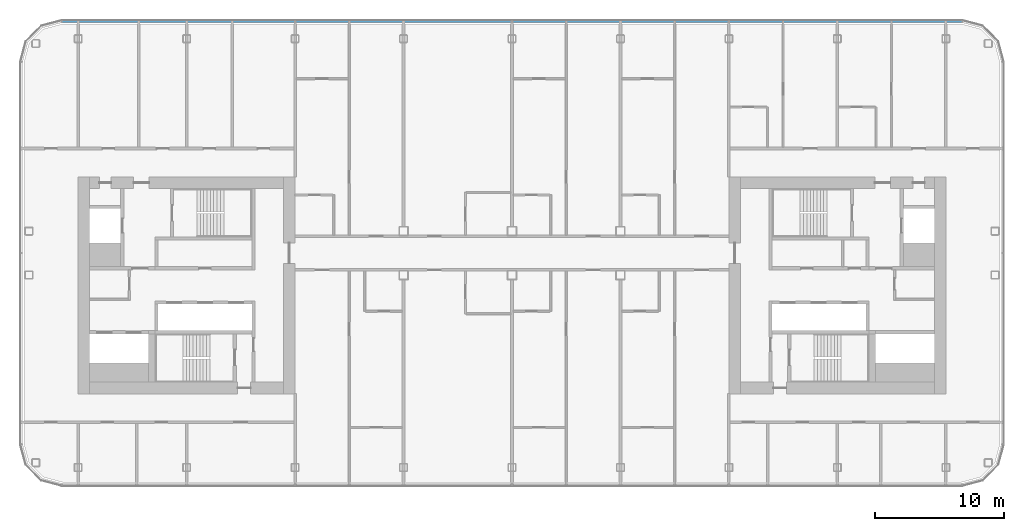
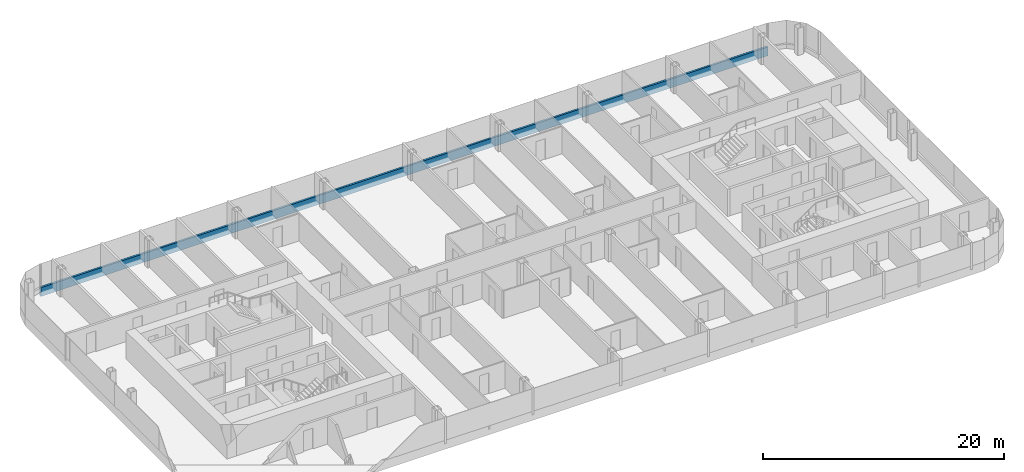
# One storey, part 8 of 26: 1 member, 1 element without a shape of its own.
"""IFC4 building model written with IfcOpenShell, lengths in metres."""

from ifc_helpers import new_model, si_unit, direction, frame, origin, origin_2d, place, context, subcontext, project, spatial, rectangle, extrude, material, layer, layer_set, material_profile, profile_set, type_object, element, aggregate, save


model = new_model("IFC4")

# Units and contexts
model_context = context("Model", 3, precision=1e-05, world=origin(), true_north=direction((0.0, 1.0)))
body_context = subcontext(model_context, "Body", "Model", "MODEL_VIEW")
ifc_project = project(units=[si_unit("LENGTHUNIT", "METRE"), si_unit("AREAUNIT", "SQUARE_METRE"), si_unit("VOLUMEUNIT", "CUBIC_METRE"), si_unit("PLANEANGLEUNIT", "RADIAN"), si_unit("MASSUNIT", "GRAM", prefix="KILO")], contexts=[model_context])

# Site, building, storey
site_placement = place(None, origin())
site = spatial("IfcSite", under=ifc_project, at=site_placement, CompositionType="ELEMENT")
building_placement = place(site_placement, origin())
building = spatial("IfcBuilding", under=site, at=building_placement, Name="Hakoniwa Tower and Hamabe Station Hall", CompositionType="ELEMENT")
storey_placement = place(building_placement, frame((0.0, 0.0, 199.39990234375)))
storey = spatial("IfcBuildingStorey", under=building, at=storey_placement, Name="L56", CompositionType="ELEMENT", Elevation=199.39990234375)

# Curtain wall, member
ifc_material_1 = material(Name="Dark low-e laminated glass", Category="glass")
ifc_layer = layer(ifc_material_1, 0.199951171875)
ifc_layer_set = layer_set([ifc_layer], Name="CW-1 UNITISED GUEST")
curtain_wall_type = type_object("IfcCurtainWallType", Name="CW-1 UNITISED GUEST", PredefinedType="NOTDEFINED", material=ifc_layer_set)
curtain_wall_placement = place(storey_placement, origin())
curtain_wall = element("IfcCurtainWall", 1, at=curtain_wall_placement, inside=storey, type_object=curtain_wall_type, Name="CW-1 curtain wall", PredefinedType="NOTDEFINED")
ifc_material_2 = material(Name="Aluminium 6063-T5 black anodised", Category="aluminium")
ifc_material_profile = material_profile(ifc_material_2, rectangle(XDim=0.199951171875, YDim=0.89990234375, at=origin_2d()), Name="CW SLAB-EDGE BAND 900X200")
ifc_profile_set = profile_set([ifc_material_profile], Name="Aluminium 6063-T5 black anodised")
member_type = type_object("IfcMemberType", Name="CW SLAB-EDGE BAND 900X200", PredefinedType="USERDEFINED", material=ifc_profile_set)
member_placement = place(storey_placement, frame((34.839599609375, 20.449951171875, -0.099853515625), z_axis=(-1.0, 0.0, 0.0), x_axis=(0.0, -1.0, 0.0)))
member = element("IfcMember", 2, at=member_placement, type_object=member_type, Name="CW-1 transom", ObjectType="TRANSOM", PredefinedType="USERDEFINED", context=body_context, shape_type="SweptSolid", body=[
    extrude(rectangle(XDim=0.199951171875, YDim=0.89990234375, at=origin_2d()), origin(), (0.0, 0.0, 1.0), 69.67919921875),
])
aggregate(curtain_wall, [member])

save(model, "model.ifc")
